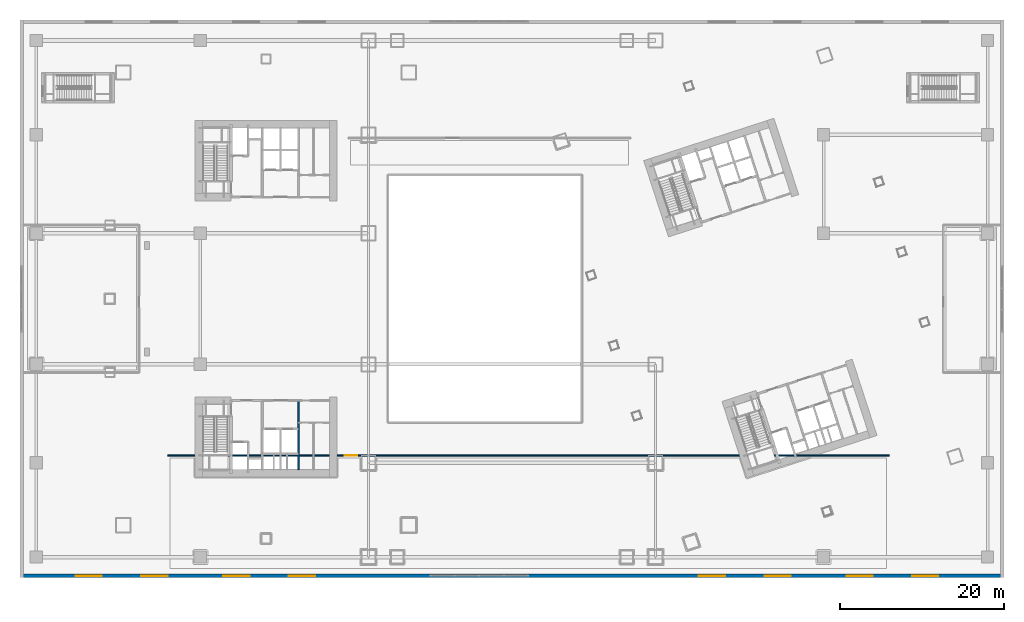
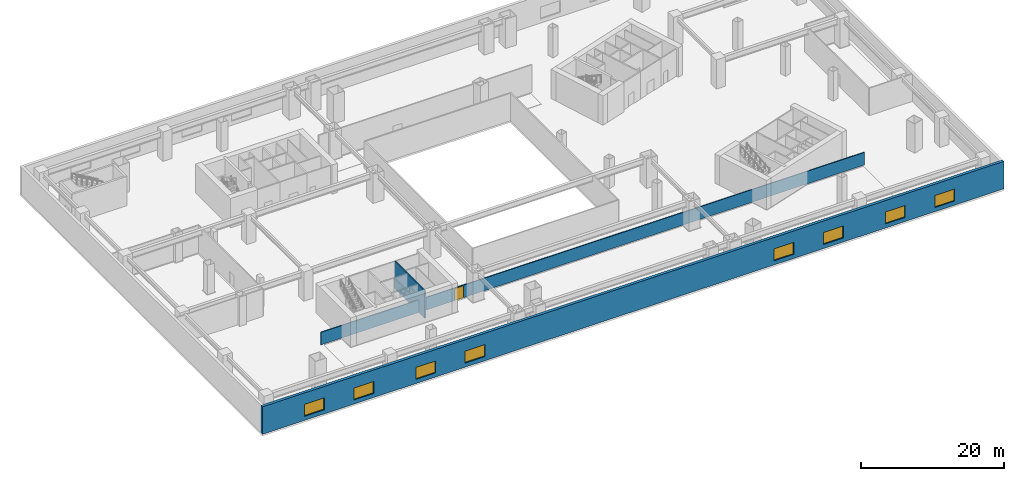
# One storey, part 23 of 35: 8 windows, 3 walls, 1 door, 9 openings.
"""IFC4 building model written with IfcOpenShell, lengths in metres."""

from ifc_helpers import new_model, si_unit, direction, frame, frame_2d, origin, place, context, subcontext, project, spatial, rectangle, extrude, material, layer, layer_set, type_object, element, fill, save


model = new_model("IFC4")

# Units and contexts
model_context = context("Model", 3, precision=1e-05, world=origin(), true_north=direction((0.0, 1.0)))
body_context = subcontext(model_context, "Body", "Model", "MODEL_VIEW")
ifc_project = project(units=[si_unit("LENGTHUNIT", "METRE"), si_unit("AREAUNIT", "SQUARE_METRE"), si_unit("VOLUMEUNIT", "CUBIC_METRE"), si_unit("PLANEANGLEUNIT", "RADIAN"), si_unit("MASSUNIT", "GRAM", prefix="KILO")], contexts=[model_context])

# Site, building, storey
site_placement = place(None, origin())
site = spatial("IfcSite", under=ifc_project, at=site_placement, CompositionType="ELEMENT")
building_placement = place(site_placement, origin())
building = spatial("IfcBuilding", under=site, at=building_placement, Name="Qiaolan Cultural Towers", CompositionType="ELEMENT")
storey_placement = place(building_placement, frame((0.0, 0.0, 11.5)))
storey = spatial("IfcBuildingStorey", under=building, at=storey_placement, Name="L02", CompositionType="ELEMENT", Elevation=11.5)

# Wall, openings, windows
ifc_material_1 = material(Name="Precast Concrete C50 Bush-Hammered Granite Pier", Category="masonry")
ifc_layer_1 = layer(ifc_material_1, 0.449951171875)
ifc_layer_set_1 = layer_set([ifc_layer_1], Name="Precast Concrete C50 Bush-Hammered Granite Pier")
wall_type_1 = type_object("IfcWallType", Name="WL-EXT-POD-450", PredefinedType="SOLIDWALL", material=ifc_layer_set_1)
wall_1_placement = place(storey_placement, frame((120.0, 0.22509765625, 0.0), z_axis=(0.0, 0.0, 1.0), x_axis=(-1.0, 0.0, 0.0)))
wall_1 = element("IfcWall", 1, at=wall_1_placement, inside=storey, type_object=wall_type_1, Name="L02 Podium Precast Facade Wall SOUTH", PredefinedType="SOLIDWALL", context=body_context, shape_type="SweptSolid", body=[
    extrude(rectangle(XDim=120.0, YDim=0.449951171875, at=frame_2d((60.0, 0.0))), origin(), (0.0, 0.0, 1.0), 4.699951171875),
])
opening_1_placement = place(wall_1_placement, frame((8.0, 0.0, 0.699951171875)))
opening_1 = element("IfcOpeningElement", 2, at=opening_1_placement, cuts=wall_1, Name="Opening W-04", PredefinedType="OPENING", context=body_context, shape_type="SweptSolid", body=[
    extrude(rectangle(XDim=3.199951171875, YDim=2.050048828125, at=frame_2d((1.60009765625, 1.02490234375))), frame((0.0, 0.23486328125, 0.0), z_axis=(0.0, -1.0, 0.0), x_axis=(1.0, 0.0, 0.0)), (0.0, 0.0, 1.0), 0.469970703125),
])
opening_2_placement = place(wall_1_placement, frame((16.0, 0.0, 0.699951171875)))
opening_2 = element("IfcOpeningElement", 3, at=opening_2_placement, cuts=wall_1, Name="Opening W-04", PredefinedType="OPENING", context=body_context, shape_type="SweptSolid", body=[
    extrude(rectangle(XDim=3.199951171875, YDim=2.050048828125, at=frame_2d((1.60009765625, 1.02490234375))), frame((0.0, 0.23486328125, 0.0), z_axis=(0.0, -1.0, 0.0), x_axis=(1.0, 0.0, 0.0)), (0.0, 0.0, 1.0), 0.469970703125),
])
opening_3_placement = place(wall_1_placement, frame((26.0, 0.0, 0.699951171875)))
opening_3 = element("IfcOpeningElement", 4, at=opening_3_placement, cuts=wall_1, Name="Opening W-04", PredefinedType="OPENING", context=body_context, shape_type="SweptSolid", body=[
    extrude(rectangle(XDim=3.199951171875, YDim=2.050048828125, at=frame_2d((1.60009765625, 1.02490234375))), frame((0.0, 0.23486328125, 0.0), z_axis=(0.0, -1.0, 0.0), x_axis=(1.0, 0.0, 0.0)), (0.0, 0.0, 1.0), 0.469970703125),
])
opening_4_placement = place(wall_1_placement, frame((34.0, 0.0, 0.699951171875)))
opening_4 = element("IfcOpeningElement", 5, at=opening_4_placement, cuts=wall_1, Name="Opening W-04", PredefinedType="OPENING", context=body_context, shape_type="SweptSolid", body=[
    extrude(rectangle(XDim=3.199951171875, YDim=2.050048828125, at=frame_2d((1.60009765625, 1.02490234375))), frame((0.0, 0.23486328125, 0.0), z_axis=(0.0, -1.0, 0.0), x_axis=(1.0, 0.0, 0.0)), (0.0, 0.0, 1.0), 0.469970703125),
])
opening_5_placement = place(wall_1_placement, frame((84.0, 0.0, 0.699951171875)))
opening_5 = element("IfcOpeningElement", 6, at=opening_5_placement, cuts=wall_1, Name="Opening W-04", PredefinedType="OPENING", context=body_context, shape_type="SweptSolid", body=[
    extrude(rectangle(XDim=3.199951171875, YDim=2.050048828125, at=frame_2d((1.60009765625, 1.02490234375))), frame((0.0, 0.23486328125, 0.0), z_axis=(0.0, -1.0, 0.0), x_axis=(1.0, 0.0, 0.0)), (0.0, 0.0, 1.0), 0.469970703125),
])
opening_6_placement = place(wall_1_placement, frame((92.0, 0.0, 0.699951171875)))
opening_6 = element("IfcOpeningElement", 7, at=opening_6_placement, cuts=wall_1, Name="Opening W-04", PredefinedType="OPENING", context=body_context, shape_type="SweptSolid", body=[
    extrude(rectangle(XDim=3.199951171875, YDim=2.050048828125, at=frame_2d((1.60009765625, 1.02490234375))), frame((0.0, 0.23486328125, 0.0), z_axis=(0.0, -1.0, 0.0), x_axis=(1.0, 0.0, 0.0)), (0.0, 0.0, 1.0), 0.469970703125),
])
opening_7_placement = place(wall_1_placement, frame((102.0, 0.0, 0.699951171875)))
opening_7 = element("IfcOpeningElement", 8, at=opening_7_placement, cuts=wall_1, Name="Opening W-04", PredefinedType="OPENING", context=body_context, shape_type="SweptSolid", body=[
    extrude(rectangle(XDim=3.199951171875, YDim=2.050048828125, at=frame_2d((1.60009765625, 1.02490234375))), frame((0.0, 0.23486328125, 0.0), z_axis=(0.0, -1.0, 0.0), x_axis=(1.0, 0.0, 0.0)), (0.0, 0.0, 1.0), 0.469970703125),
])
opening_8_placement = place(wall_1_placement, frame((110.0, 0.0, 0.699951171875)))
opening_8 = element("IfcOpeningElement", 9, at=opening_8_placement, cuts=wall_1, Name="Opening W-04", PredefinedType="OPENING", context=body_context, shape_type="SweptSolid", body=[
    extrude(rectangle(XDim=3.199951171875, YDim=2.050048828125, at=frame_2d((1.60009765625, 1.02490234375))), frame((0.0, 0.23486328125, 0.0), z_axis=(0.0, -1.0, 0.0), x_axis=(1.0, 0.0, 0.0)), (0.0, 0.0, 1.0), 0.469970703125),
])
ifc_material_2 = material(Name="Thermally Broken Aluminium Triple Low-E Glazing", Category="aluminium")
window_type = type_object("IfcWindowType", Name="WN-POD-3200", PartitioningType="SINGLE_PANEL", PredefinedType="WINDOW", material=ifc_material_2)
window_1_placement = place(opening_1_placement, origin())
window_1 = element("IfcWindow", 10, at=window_1_placement, inside=storey, type_object=window_type, Name="L02 Podium Chicago Window SOUTH-01", OverallHeight=2.050048828125, OverallWidth=3.199951171875, PartitioningType="TRIPLE_PANEL_VERTICAL", PredefinedType="WINDOW", context=body_context, shape_type="SweptSolid", body=[
    extrude(rectangle(XDim=3.199951171875, YDim=2.050048828125, at=frame_2d((1.60009765625, 1.02490234375))), frame((0.0, 0.030029296875, 0.0), z_axis=(0.0, -1.0, 0.0), x_axis=(1.0, 0.0, 0.0)), (0.0, 0.0, 1.0), 0.06005859375),
])
fill(opening_1, window_1)
window_2_placement = place(opening_2_placement, origin())
window_2 = element("IfcWindow", 11, at=window_2_placement, inside=storey, type_object=window_type, Name="L02 Podium Chicago Window SOUTH-02", OverallHeight=2.050048828125, OverallWidth=3.199951171875, PartitioningType="TRIPLE_PANEL_VERTICAL", PredefinedType="WINDOW", context=body_context, shape_type="SweptSolid", body=[
    extrude(rectangle(XDim=3.199951171875, YDim=2.050048828125, at=frame_2d((1.60009765625, 1.02490234375))), frame((0.0, 0.030029296875, 0.0), z_axis=(0.0, -1.0, 0.0), x_axis=(1.0, 0.0, 0.0)), (0.0, 0.0, 1.0), 0.06005859375),
])
fill(opening_2, window_2)
window_3_placement = place(opening_3_placement, origin())
window_3 = element("IfcWindow", 12, at=window_3_placement, inside=storey, type_object=window_type, Name="L02 Podium Chicago Window SOUTH-03", OverallHeight=2.050048828125, OverallWidth=3.199951171875, PartitioningType="TRIPLE_PANEL_VERTICAL", PredefinedType="WINDOW", context=body_context, shape_type="SweptSolid", body=[
    extrude(rectangle(XDim=3.199951171875, YDim=2.050048828125, at=frame_2d((1.60009765625, 1.02490234375))), frame((0.0, 0.030029296875, 0.0), z_axis=(0.0, -1.0, 0.0), x_axis=(1.0, 0.0, 0.0)), (0.0, 0.0, 1.0), 0.06005859375),
])
fill(opening_3, window_3)
window_4_placement = place(opening_4_placement, origin())
window_4 = element("IfcWindow", 13, at=window_4_placement, inside=storey, type_object=window_type, Name="L02 Podium Chicago Window SOUTH-04", OverallHeight=2.050048828125, OverallWidth=3.199951171875, PartitioningType="TRIPLE_PANEL_VERTICAL", PredefinedType="WINDOW", context=body_context, shape_type="SweptSolid", body=[
    extrude(rectangle(XDim=3.199951171875, YDim=2.050048828125, at=frame_2d((1.60009765625, 1.02490234375))), frame((0.0, 0.030029296875, 0.0), z_axis=(0.0, -1.0, 0.0), x_axis=(1.0, 0.0, 0.0)), (0.0, 0.0, 1.0), 0.06005859375),
])
fill(opening_4, window_4)
window_5_placement = place(opening_5_placement, origin())
window_5 = element("IfcWindow", 14, at=window_5_placement, inside=storey, type_object=window_type, Name="L02 Podium Chicago Window SOUTH-05", OverallHeight=2.050048828125, OverallWidth=3.199951171875, PartitioningType="TRIPLE_PANEL_VERTICAL", PredefinedType="WINDOW", context=body_context, shape_type="SweptSolid", body=[
    extrude(rectangle(XDim=3.199951171875, YDim=2.050048828125, at=frame_2d((1.60009765625, 1.02490234375))), frame((0.0, 0.030029296875, 0.0), z_axis=(0.0, -1.0, 0.0), x_axis=(1.0, 0.0, 0.0)), (0.0, 0.0, 1.0), 0.06005859375),
])
fill(opening_5, window_5)
window_6_placement = place(opening_6_placement, origin())
window_6 = element("IfcWindow", 15, at=window_6_placement, inside=storey, type_object=window_type, Name="L02 Podium Chicago Window SOUTH-06", OverallHeight=2.050048828125, OverallWidth=3.199951171875, PartitioningType="TRIPLE_PANEL_VERTICAL", PredefinedType="WINDOW", context=body_context, shape_type="SweptSolid", body=[
    extrude(rectangle(XDim=3.199951171875, YDim=2.050048828125, at=frame_2d((1.60009765625, 1.02490234375))), frame((0.0, 0.030029296875, 0.0), z_axis=(0.0, -1.0, 0.0), x_axis=(1.0, 0.0, 0.0)), (0.0, 0.0, 1.0), 0.06005859375),
])
fill(opening_6, window_6)
window_7_placement = place(opening_7_placement, origin())
window_7 = element("IfcWindow", 16, at=window_7_placement, inside=storey, type_object=window_type, Name="L02 Podium Chicago Window SOUTH-07", OverallHeight=2.050048828125, OverallWidth=3.199951171875, PartitioningType="TRIPLE_PANEL_VERTICAL", PredefinedType="WINDOW", context=body_context, shape_type="SweptSolid", body=[
    extrude(rectangle(XDim=3.199951171875, YDim=2.050048828125, at=frame_2d((1.60009765625, 1.02490234375))), frame((0.0, 0.030029296875, 0.0), z_axis=(0.0, -1.0, 0.0), x_axis=(1.0, 0.0, 0.0)), (0.0, 0.0, 1.0), 0.06005859375),
])
fill(opening_7, window_7)
window_8_placement = place(opening_8_placement, origin())
window_8 = element("IfcWindow", 17, at=window_8_placement, inside=storey, type_object=window_type, Name="L02 Podium Chicago Window SOUTH-08", OverallHeight=2.050048828125, OverallWidth=3.199951171875, PartitioningType="TRIPLE_PANEL_VERTICAL", PredefinedType="WINDOW", context=body_context, shape_type="SweptSolid", body=[
    extrude(rectangle(XDim=3.199951171875, YDim=2.050048828125, at=frame_2d((1.60009765625, 1.02490234375))), frame((0.0, 0.030029296875, 0.0), z_axis=(0.0, -1.0, 0.0), x_axis=(1.0, 0.0, 0.0)), (0.0, 0.0, 1.0), 0.06005859375),
])
fill(opening_8, window_8)

# Wall
ifc_material_3 = material(Name="Concrete C35 Fire Wall", Category="concrete")
ifc_layer_2 = layer(ifc_material_3, 0.199951171875)
ifc_layer_set_2 = layer_set([ifc_layer_2], Name="Concrete C35 Fire Wall")
wall_type_2 = type_object("IfcWallType", Name="WL-FIRE-200", PredefinedType="PARTITIONING", material=ifc_layer_set_2)
wall_2_placement = place(storey_placement, frame((33.949951171875, 21.60009765625, 0.0), z_axis=(0.0, 0.0, 1.0), x_axis=(0.0, -1.0, 0.0)))
element("IfcWall", 18, at=wall_2_placement, inside=storey, type_object=wall_type_2, Name="L02 T1-CS Lift Core East Wall", PredefinedType="PARTITIONING", context=body_context, shape_type="SweptSolid", body=[
    extrude(rectangle(XDim=8.43017578125, YDim=0.199951171875, at=frame_2d((4.215087890625, 0.0))), origin(), (0.0, 0.0, 1.0), 4.68505859375),
])

# Wall, opening, door
ifc_material_4 = material(Name="Autoclaved Aerated Concrete Block B06", Category="concrete")
ifc_layer_3 = layer(ifc_material_4, 0.14990234375)
ifc_layer_set_3 = layer_set([ifc_layer_3], Name="Autoclaved Aerated Concrete Block B06")
wall_type_3 = type_object("IfcWallType", Name="WL-PART-150", PredefinedType="PARTITIONING", material=ifc_layer_set_3)
wall_3_placement = place(storey_placement, frame((18.0, 14.89990234375, 0.0), z_axis=(0.0, 0.0, 1.0), x_axis=(1.0, 0.0, 0.0)))
wall_3 = element("IfcWall", 19, at=wall_3_placement, inside=storey, type_object=wall_type_3, Name="L02 Podium Partition L02-SGW", PredefinedType="PARTITIONING", context=body_context, shape_type="SweptSolid", body=[
    extrude(rectangle(XDim=88.0, YDim=0.14990234375, at=frame_2d((44.0, 0.0))), origin(), (0.0, 0.0, 1.0), 2.14990234375),
])
opening_9_placement = place(wall_3_placement, frame((21.60009765625, 0.0, 0.0)))
opening_9 = element("IfcOpeningElement", 20, at=opening_9_placement, cuts=wall_3, Name="Opening ID-01", PredefinedType="OPENING", context=body_context, shape_type="SweptSolid", body=[
    extrude(rectangle(XDim=1.5, YDim=2.050048828125, at=frame_2d((0.75, 1.02490234375))), frame((0.0, 0.0849609375, 0.0), z_axis=(0.0, -1.0, 0.0), x_axis=(1.0, 0.0, 0.0)), (0.0, 0.0, 1.0), 0.169921875),
])
ifc_material_5 = material(Name="Oak Veneer Solid-Core Double Leaf Door", Category="timber")
door_type = type_object("IfcDoorType", Name="DR-INT-1500", OperationType="NOTDEFINED", PredefinedType="DOOR", material=ifc_material_5)
door_placement = place(opening_9_placement, origin())
door = element("IfcDoor", 21, at=door_placement, inside=storey, type_object=door_type, Name="L02 South Gallery Entrance", OperationType="SINGLE_SWING_LEFT", OverallHeight=2.050048828125, OverallWidth=1.5, PredefinedType="DOOR", context=body_context, shape_type="SweptSolid", body=[
    extrude(rectangle(XDim=1.5, YDim=2.050048828125, at=frame_2d((0.75, 1.02490234375))), frame((0.0, 0.02490234375, 0.0), z_axis=(0.0, -1.0, 0.0), x_axis=(1.0, 0.0, 0.0)), (0.0, 0.0, 1.0), 0.050048828125),
])
fill(opening_9, door)

save(model, "model.ifc")
